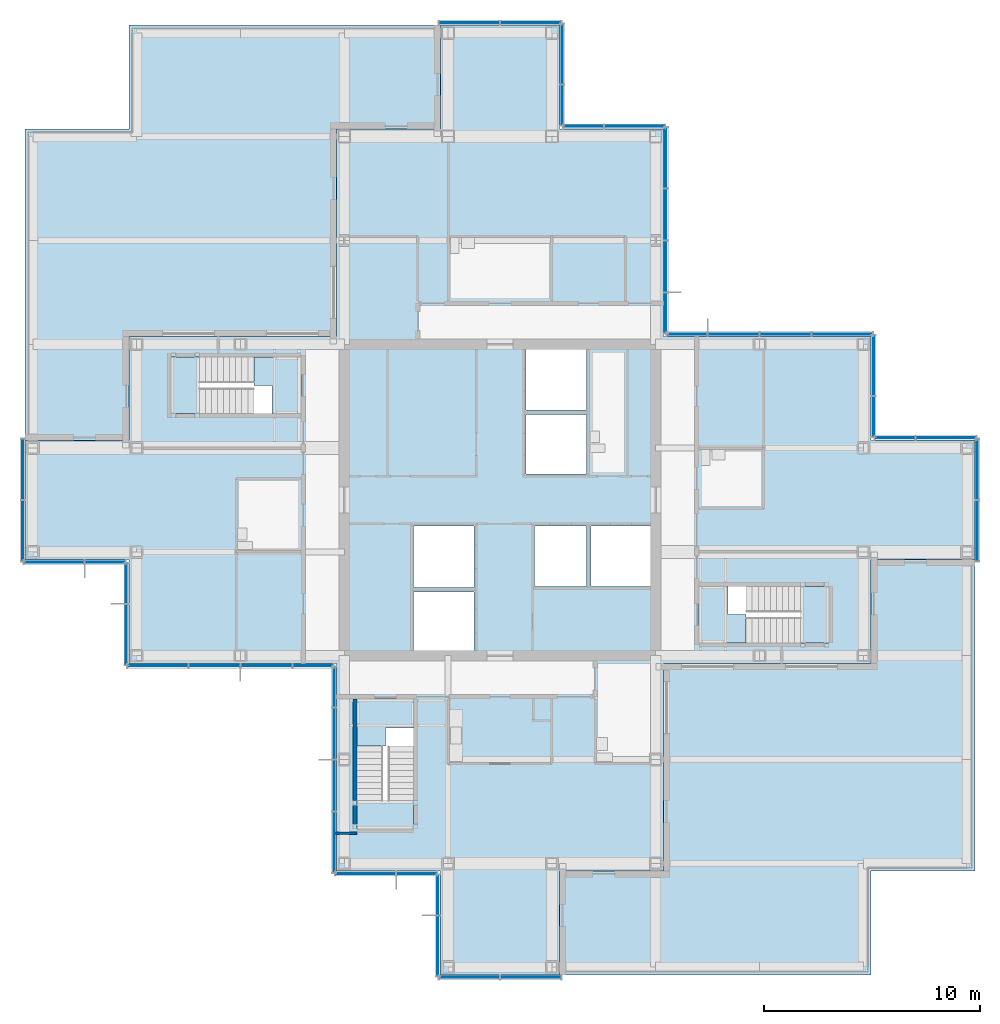
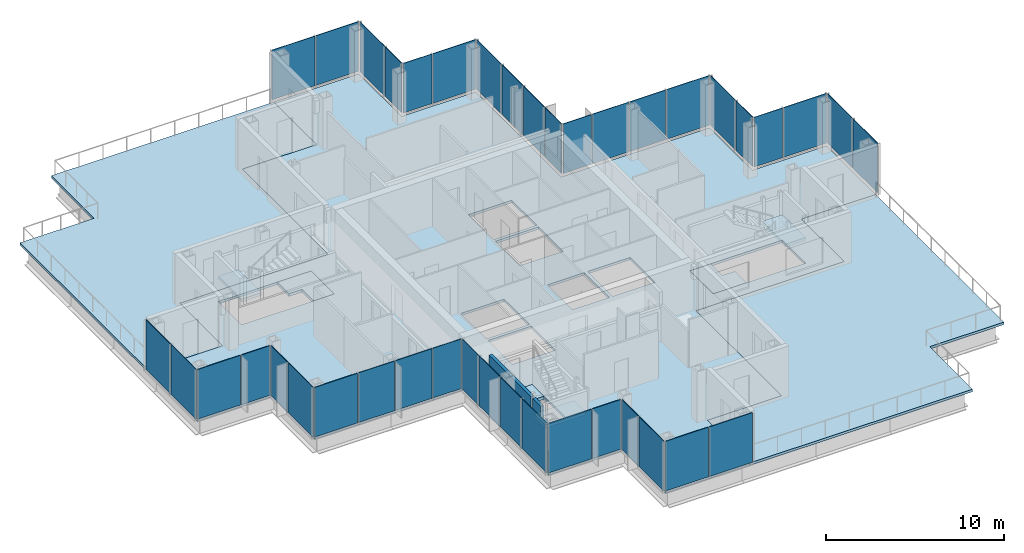
# One storey, part 10 of 17: 40 plates, 9 slabs, 3 walls, 19 elements without a shape of their own.
"""IFC4 building model written with IfcOpenShell, lengths in metres."""

from ifc_helpers import new_model, si_unit, direction, frame, frame_2d, origin, origin_2d, place, context, subcontext, project, spatial, polyline, rectangle, outline, extrude, material, layer, layer_set, type_object, element, aggregate, save


model = new_model("IFC4")

# Units and contexts
model_context = context("Model", 3, precision=1e-05, world=origin(), true_north=direction((0.0, 1.0)))
body_context = subcontext(model_context, "Body", "Model", "MODEL_VIEW")
ifc_project = project(units=[si_unit("LENGTHUNIT", "METRE"), si_unit("AREAUNIT", "SQUARE_METRE"), si_unit("VOLUMEUNIT", "CUBIC_METRE"), si_unit("PLANEANGLEUNIT", "RADIAN"), si_unit("MASSUNIT", "GRAM", prefix="KILO")], contexts=[model_context])

# Site, building, storey
site_placement = place(None, origin())
site = spatial("IfcSite", under=ifc_project, at=site_placement, CompositionType="ELEMENT")
building_placement = place(site_placement, origin())
building = spatial("IfcBuilding", under=site, at=building_placement, Name="Kvirike Care Tower", CompositionType="ELEMENT")
storey_placement = place(building_placement, frame((0.0, 0.0, 141.0)))
storey = spatial("IfcBuildingStorey", under=building, at=storey_placement, Name="L38", CompositionType="ELEMENT", Elevation=141.0)

# Slab
ifc_material_1 = material(Name="Concrete C35/45", Category="concrete")
ifc_layer_1 = layer(ifc_material_1, 0.169921875)
ifc_layer_set_1 = layer_set([ifc_layer_1], Name="FLOOR SLAB 170")
slab_type_1 = type_object("IfcSlabType", Name="FLOOR SLAB 170", PredefinedType="FLOOR", material=ifc_layer_set_1)
slab_1_placement = place(storey_placement, frame((0.0, 0.0, -0.169921875)))
element("IfcSlab", 1, at=slab_1_placement, inside=storey, type_object=slab_type_1, Name="Floor slab L38", PredefinedType="FLOOR", context=body_context, shape_type="SweptSolid", body=[
    extrude(outline(polyline([(29.14990234375, 28.449951171875), (38.75, 28.449951171875), (38.75, 33.25), (43.550048828125, 33.25), (43.550048828125, 38.75), (38.75, 38.75), (38.75, 43.550048828125), (29.14990234375, 43.550048828125), (29.14990234375, 53.14990234375), (24.35009765625, 53.14990234375), (24.35009765625, 57.949951171875), (18.85009765625, 57.949951171875), (18.85009765625, 53.14990234375), (14.050048828125, 53.14990234375), (14.050048828125, 43.550048828125), (4.449951171875, 43.550048828125), (4.449951171875, 38.75), (-0.35009765625, 38.75), (-0.35009765625, 33.25), (4.449951171875, 33.25), (4.449951171875, 28.449951171875), (14.050048828125, 28.449951171875), (14.050048828125, 18.85009765625), (18.85009765625, 18.85009765625), (18.85009765625, 14.050048828125), (24.35009765625, 14.050048828125), (24.35009765625, 18.85009765625), (29.14990234375, 18.85009765625), (29.14990234375, 28.449951171875)]), holes=[polyline([(17.60009765625, 29.050048828125), (17.60009765625, 31.75), (20.39990234375, 31.75), (20.39990234375, 29.050048828125), (17.60009765625, 29.050048828125)]), polyline([(17.60009765625, 31.949951171875), (17.60009765625, 34.800048828125), (20.39990234375, 34.800048828125), (20.39990234375, 31.949951171875), (17.60009765625, 31.949951171875)]), polyline([(22.800048828125, 37.199951171875), (22.800048828125, 39.949951171875), (25.60009765625, 39.949951171875), (25.60009765625, 37.199951171875), (22.800048828125, 37.199951171875)]), polyline([(22.800048828125, 40.14990234375), (22.800048828125, 42.949951171875), (25.60009765625, 42.949951171875), (25.60009765625, 40.14990234375), (22.800048828125, 40.14990234375)]), polyline([(23.199951171875, 32.0), (23.199951171875, 34.800048828125), (25.60009765625, 34.800048828125), (25.60009765625, 32.0), (23.199951171875, 32.0)]), polyline([(25.800048828125, 32.0), (25.800048828125, 34.800048828125), (28.550048828125, 34.800048828125), (28.550048828125, 32.0), (25.800048828125, 32.0)]), polyline([(12.39990234375, 42.60009765625), (12.39990234375, 40.0), (6.39990234375, 40.0), (6.39990234375, 42.60009765625), (12.39990234375, 42.60009765625)]), polyline([(30.800048828125, 29.39990234375), (30.800048828125, 32.0), (36.800048828125, 32.0), (36.800048828125, 29.39990234375), (30.800048828125, 29.39990234375)]), polyline([(15.0, 26.800048828125), (17.60009765625, 26.800048828125), (17.60009765625, 20.800048828125), (15.0, 20.800048828125), (15.0, 26.800048828125)])]), origin(), (0.0, 0.0, 1.0), 0.169921875),
])

# Stair, slabs
ifc_material_2 = material(Name="Concrete C35/45", Category="concrete")
stair_type = type_object("IfcStairType", Name="STAIR 20 RISERS", PredefinedType="HALF_TURN_STAIR", material=ifc_material_2)
stair_1_placement = place(storey_placement, origin())
stair_1 = element("IfcStair", 2, at=stair_1_placement, inside=storey, type_object=stair_type, Name="Stair 1 L38", PredefinedType="HALF_TURN_STAIR")
ifc_material_3 = material(Name="Concrete C35/45", Category="concrete")
ifc_layer_2 = layer(ifc_material_3, 0.199951171875)
ifc_layer_set_2 = layer_set([ifc_layer_2], Name="STAIR LANDING 200")
slab_type_2 = type_object("IfcSlabType", Name="STAIR LANDING 200", PredefinedType="LANDING", material=ifc_layer_set_2)
slab_2_placement = place(storey_placement, frame((0.0, 0.0, -0.199951171875)))
slab_2 = element("IfcSlab", 3, at=slab_2_placement, type_object=slab_type_2, Name="Stair S1 floor landing L38", PredefinedType="LANDING", context=body_context, shape_type="SweptSolid", body=[
    extrude(outline(polyline([(10.219970703125, 42.60009765625), (10.219970703125, 41.300048828125), (11.06005859375, 41.300048828125), (11.06005859375, 40.0), (12.39990234375, 40.0), (12.39990234375, 42.60009765625), (10.219970703125, 42.60009765625)])), origin(), (0.0, 0.0, 1.0), 0.199951171875),
])
slab_3_placement = place(storey_placement, frame((0.0, 0.0, 1.550048828125)))
slab_3 = element("IfcSlab", 4, at=slab_3_placement, type_object=slab_type_2, Name="Stair S1 half landing L38-L39", PredefinedType="LANDING", context=body_context, shape_type="SweptSolid", body=[
    extrude(outline(polyline([(6.39990234375, 42.60009765625), (6.39990234375, 40.0), (7.699951171875, 40.0), (7.699951171875, 42.60009765625), (6.39990234375, 42.60009765625)])), origin(), (0.0, 0.0, 1.0), 0.199951171875),
])
aggregate(stair_1, [slab_2, slab_3])

stair_2_placement = place(storey_placement, origin())
stair_2 = element("IfcStair", 5, at=stair_2_placement, inside=storey, type_object=stair_type, Name="Stair 2 L38", PredefinedType="HALF_TURN_STAIR")
slab_4_placement = place(storey_placement, frame((0.0, 0.0, -0.199951171875)))
slab_4 = element("IfcSlab", 6, at=slab_4_placement, type_object=slab_type_2, Name="Stair S2 floor landing L38", PredefinedType="LANDING", context=body_context, shape_type="SweptSolid", body=[
    extrude(outline(polyline([(32.97998046875, 29.39990234375), (32.97998046875, 30.699951171875), (32.139892578125, 30.699951171875), (32.139892578125, 32.0), (30.800048828125, 32.0), (30.800048828125, 29.39990234375), (32.97998046875, 29.39990234375)])), origin(), (0.0, 0.0, 1.0), 0.199951171875),
])
slab_5_placement = place(storey_placement, frame((0.0, 0.0, 1.550048828125)))
slab_5 = element("IfcSlab", 7, at=slab_5_placement, type_object=slab_type_2, Name="Stair S2 half landing L38-L39", PredefinedType="LANDING", context=body_context, shape_type="SweptSolid", body=[
    extrude(outline(polyline([(36.800048828125, 29.39990234375), (36.800048828125, 32.0), (35.5, 32.0), (35.5, 29.39990234375), (36.800048828125, 29.39990234375)])), origin(), (0.0, 0.0, 1.0), 0.199951171875),
])
aggregate(stair_2, [slab_4, slab_5])

stair_3_placement = place(storey_placement, origin())
stair_3 = element("IfcStair", 8, at=stair_3_placement, inside=storey, type_object=stair_type, Name="Stair 5 L38", PredefinedType="HALF_TURN_STAIR")
slab_6_placement = place(storey_placement, frame((0.0, 0.0, -0.199951171875)))
slab_6 = element("IfcSlab", 9, at=slab_6_placement, type_object=slab_type_2, Name="Stair S5 floor landing L38", PredefinedType="LANDING", context=body_context, shape_type="SweptSolid", body=[
    extrude(outline(polyline([(15.0, 24.6201171875), (16.300048828125, 24.6201171875), (16.300048828125, 25.4599609375), (17.60009765625, 25.4599609375), (17.60009765625, 26.800048828125), (15.0, 26.800048828125), (15.0, 24.6201171875)])), origin(), (0.0, 0.0, 1.0), 0.199951171875),
])
slab_7_placement = place(storey_placement, frame((0.0, 0.0, 1.550048828125)))
slab_7 = element("IfcSlab", 10, at=slab_7_placement, type_object=slab_type_2, Name="Stair S5 half landing L38-L39", PredefinedType="LANDING", context=body_context, shape_type="SweptSolid", body=[
    extrude(outline(polyline([(15.0, 20.800048828125), (17.60009765625, 20.800048828125), (17.60009765625, 22.10009765625), (15.0, 22.10009765625), (15.0, 20.800048828125)])), origin(), (0.0, 0.0, 1.0), 0.199951171875),
])
aggregate(stair_3, [slab_6, slab_7])

# Slabs
ifc_material_4 = material(Name="Concrete C35/45", Category="concrete")
ifc_layer_3 = layer(ifc_material_4, 0.169921875)
ifc_layer_set_3 = layer_set([ifc_layer_3], Name="TERRACE SLAB 170")
slab_type_3 = type_object("IfcSlabType", Name="TERRACE SLAB 170", PredefinedType="ROOF", material=ifc_layer_set_3)
slab_8_placement = place(storey_placement, frame((0.0, 0.0, -0.169921875)))
element("IfcSlab", 11, at=slab_8_placement, inside=storey, type_object=slab_type_3, Name="Terrace L38 1", PredefinedType="ROOF", context=body_context, shape_type="SweptSolid", body=[
    extrude(outline(polyline([(-0.35009765625, 53.14990234375), (-0.35009765625, 38.75), (4.449951171875, 38.75), (4.449951171875, 43.550048828125), (14.050048828125, 43.550048828125), (14.050048828125, 53.14990234375), (18.85009765625, 53.14990234375), (18.85009765625, 57.949951171875), (4.449951171875, 57.949951171875), (4.449951171875, 53.14990234375), (-0.35009765625, 53.14990234375)])), origin(), (0.0, 0.0, 1.0), 0.169921875),
])
slab_9_placement = place(storey_placement, frame((0.0, 0.0, -0.169921875)))
element("IfcSlab", 12, at=slab_9_placement, inside=storey, type_object=slab_type_3, Name="Terrace L38 2", PredefinedType="ROOF", context=body_context, shape_type="SweptSolid", body=[
    extrude(outline(polyline([(43.550048828125, 18.85009765625), (43.550048828125, 33.25), (38.75, 33.25), (38.75, 28.449951171875), (29.14990234375, 28.449951171875), (29.14990234375, 18.85009765625), (24.35009765625, 18.85009765625), (24.35009765625, 14.050048828125), (38.75, 14.050048828125), (38.75, 18.85009765625), (43.550048828125, 18.85009765625)])), origin(), (0.0, 0.0, 1.0), 0.169921875),
])

# Curtain wall, plates
ifc_material_5 = material(Name="Anodised aluminium stick system", Category="aluminium")
curtain_wall_type = type_object("IfcCurtainWallType", Name="CW-C STICK CURTAIN WALL", PredefinedType="NOTDEFINED", material=ifc_material_5)
curtain_wall_1_placement = place(storey_placement, origin())
curtain_wall_1 = element("IfcCurtainWall", 13, at=curtain_wall_1_placement, inside=storey, type_object=curtain_wall_type, Name="Curtain wall L38 face 4", PredefinedType="NOTDEFINED")
ifc_material_6 = material(Name="Tinted double glazed unit", Category="glass")
ifc_layer_4 = layer(ifc_material_6, 0.0400390625)
ifc_layer_set_4 = layer_set([ifc_layer_4], Name="TINTED VISION PANEL 40")
plate_type = type_object("IfcPlateType", Name="TINTED VISION PANEL 40", PredefinedType="CURTAIN_PANEL", material=ifc_layer_set_4)
plate_1_placement = place(storey_placement, frame((43.669921875, 34.581298828125, 0.10009765625), z_axis=(0.0, 0.0, 1.0), x_axis=(0.0, 1.0, 0.0)))
plate_1 = element("IfcPlate", 14, at=plate_1_placement, type_object=plate_type, Name="CW-C panel L38 face 4.1", PredefinedType="CURTAIN_PANEL", context=body_context, shape_type="SweptSolid", body=[
    extrude(rectangle(XDim=2.7724609375, YDim=0.0400390625, at=origin_2d()), origin(), (0.0, 0.0, 1.0), 3.39990234375),
])
plate_2_placement = place(storey_placement, frame((43.669921875, 37.418701171875, 0.10009765625), z_axis=(0.0, 0.0, 1.0), x_axis=(0.0, 1.0, 0.0)))
plate_2 = element("IfcPlate", 15, at=plate_2_placement, type_object=plate_type, Name="CW-C panel L38 face 4.2", PredefinedType="CURTAIN_PANEL", context=body_context, shape_type="SweptSolid", body=[
    extrude(rectangle(XDim=2.7724609375, YDim=0.0400390625, at=origin_2d()), origin(), (0.0, 0.0, 1.0), 3.39990234375),
])
aggregate(curtain_wall_1, [plate_1, plate_2])

curtain_wall_2_placement = place(storey_placement, origin())
curtain_wall_2 = element("IfcCurtainWall", 16, at=curtain_wall_2_placement, inside=storey, type_object=curtain_wall_type, Name="Curtain wall L38 face 5", PredefinedType="NOTDEFINED")
plate_3_placement = place(storey_placement, frame((42.21875, 38.8701171875, 0.10009765625), z_axis=(0.0, 0.0, 1.0), x_axis=(-1.0, 0.0, 0.0)))
plate_3 = element("IfcPlate", 17, at=plate_3_placement, type_object=plate_type, Name="CW-C panel L38 face 5.1", PredefinedType="CURTAIN_PANEL", context=body_context, shape_type="SweptSolid", body=[
    extrude(rectangle(XDim=2.7724609375, YDim=0.0400390625, at=origin_2d()), origin(), (0.0, 0.0, 1.0), 3.39990234375),
])
plate_4_placement = place(storey_placement, frame((39.851318359375, 38.8701171875, 0.10009765625), z_axis=(0.0, 0.0, 1.0), x_axis=(-1.0, 0.0, 0.0)))
plate_4 = element("IfcPlate", 18, at=plate_4_placement, type_object=plate_type, Name="CW-C panel L38 face 5.2", PredefinedType="CURTAIN_PANEL", context=body_context, shape_type="SweptSolid", body=[
    extrude(rectangle(XDim=1.83251953125, YDim=0.0400390625, at=origin_2d()), origin(), (0.0, 0.0, 1.0), 3.39990234375),
])
aggregate(curtain_wall_2, [plate_3, plate_4])

curtain_wall_3_placement = place(storey_placement, origin())
curtain_wall_3 = element("IfcCurtainWall", 19, at=curtain_wall_3_placement, inside=storey, type_object=curtain_wall_type, Name="Curtain wall L38 face 6", PredefinedType="NOTDEFINED")
plate_5_placement = place(storey_placement, frame((38.8701171875, 39.851318359375, 0.10009765625), z_axis=(0.0, 0.0, 1.0), x_axis=(0.0, 1.0, 0.0)))
plate_5 = element("IfcPlate", 20, at=plate_5_placement, type_object=plate_type, Name="CW-C panel L38 face 6.1", PredefinedType="CURTAIN_PANEL", context=body_context, shape_type="SweptSolid", body=[
    extrude(rectangle(XDim=1.83251953125, YDim=0.0400390625, at=origin_2d()), origin(), (0.0, 0.0, 1.0), 3.39990234375),
])
plate_6_placement = place(storey_placement, frame((38.8701171875, 42.21875, 0.10009765625), z_axis=(0.0, 0.0, 1.0), x_axis=(0.0, 1.0, 0.0)))
plate_6 = element("IfcPlate", 21, at=plate_6_placement, type_object=plate_type, Name="CW-C panel L38 face 6.2", PredefinedType="CURTAIN_PANEL", context=body_context, shape_type="SweptSolid", body=[
    extrude(rectangle(XDim=2.7724609375, YDim=0.0400390625, at=origin_2d()), origin(), (0.0, 0.0, 1.0), 3.39990234375),
])
aggregate(curtain_wall_3, [plate_5, plate_6])

curtain_wall_4_placement = place(storey_placement, origin())
curtain_wall_4 = element("IfcCurtainWall", 22, at=curtain_wall_4_placement, inside=storey, type_object=curtain_wall_type, Name="Curtain wall L38 face 7", PredefinedType="NOTDEFINED")
plate_7_placement = place(storey_placement, frame((37.418701171875, 43.669921875, 0.10009765625), z_axis=(0.0, 0.0, 1.0), x_axis=(-1.0, 0.0, 0.0)))
plate_7 = element("IfcPlate", 23, at=plate_7_placement, type_object=plate_type, Name="CW-C panel L38 face 7.1", PredefinedType="CURTAIN_PANEL", context=body_context, shape_type="SweptSolid", body=[
    extrude(rectangle(XDim=2.7724609375, YDim=0.0400390625, at=origin_2d()), origin(), (0.0, 0.0, 1.0), 3.39990234375),
])
plate_8_placement = place(storey_placement, frame((34.800048828125, 43.669921875, 0.10009765625), z_axis=(0.0, 0.0, 1.0), x_axis=(-1.0, 0.0, 0.0)))
plate_8 = element("IfcPlate", 24, at=plate_8_placement, type_object=plate_type, Name="CW-C panel L38 face 7.2", PredefinedType="CURTAIN_PANEL", context=body_context, shape_type="SweptSolid", body=[
    extrude(rectangle(XDim=2.3349609375, YDim=0.0400390625, at=origin_2d()), origin(), (0.0, 0.0, 1.0), 3.39990234375),
])
plate_9_placement = place(storey_placement, frame((32.39990234375, 43.669921875, 0.10009765625), z_axis=(0.0, 0.0, 1.0), x_axis=(-1.0, 0.0, 0.0)))
plate_9 = element("IfcPlate", 25, at=plate_9_placement, type_object=plate_type, Name="CW-C panel L38 face 7.3", PredefinedType="CURTAIN_PANEL", context=body_context, shape_type="SweptSolid", body=[
    extrude(rectangle(XDim=2.3349609375, YDim=0.0400390625, at=origin_2d()), origin(), (0.0, 0.0, 1.0), 3.39990234375),
])
plate_10_placement = place(storey_placement, frame((30.251220703125, 43.669921875, 0.10009765625), z_axis=(0.0, 0.0, 1.0), x_axis=(-1.0, 0.0, 0.0)))
plate_10 = element("IfcPlate", 26, at=plate_10_placement, type_object=plate_type, Name="CW-C panel L38 face 7.4", PredefinedType="CURTAIN_PANEL", context=body_context, shape_type="SweptSolid", body=[
    extrude(rectangle(XDim=1.83251953125, YDim=0.0400390625, at=origin_2d()), origin(), (0.0, 0.0, 1.0), 3.39990234375),
])
aggregate(curtain_wall_4, [plate_7, plate_8, plate_9, plate_10])

curtain_wall_5_placement = place(storey_placement, origin())
curtain_wall_5 = element("IfcCurtainWall", 27, at=curtain_wall_5_placement, inside=storey, type_object=curtain_wall_type, Name="Curtain wall L38 face 8", PredefinedType="NOTDEFINED")
plate_11_placement = place(storey_placement, frame((29.27001953125, 44.6513671875, 0.10009765625), z_axis=(0.0, 0.0, 1.0), x_axis=(0.0, 1.0, 0.0)))
plate_11 = element("IfcPlate", 28, at=plate_11_placement, type_object=plate_type, Name="CW-C panel L38 face 8.1", PredefinedType="CURTAIN_PANEL", context=body_context, shape_type="SweptSolid", body=[
    extrude(rectangle(XDim=1.83251953125, YDim=0.0400390625, at=origin_2d()), origin(), (0.0, 0.0, 1.0), 3.39990234375),
])
plate_12_placement = place(storey_placement, frame((29.27001953125, 46.800048828125, 0.10009765625), z_axis=(0.0, 0.0, 1.0), x_axis=(0.0, 1.0, 0.0)))
plate_12 = element("IfcPlate", 29, at=plate_12_placement, type_object=plate_type, Name="CW-C panel L38 face 8.2", PredefinedType="CURTAIN_PANEL", context=body_context, shape_type="SweptSolid", body=[
    extrude(rectangle(XDim=2.3349609375, YDim=0.0400390625, at=origin_2d()), origin(), (0.0, 0.0, 1.0), 3.39990234375),
])
plate_13_placement = place(storey_placement, frame((29.27001953125, 49.199951171875, 0.10009765625), z_axis=(0.0, 0.0, 1.0), x_axis=(0.0, 1.0, 0.0)))
plate_13 = element("IfcPlate", 30, at=plate_13_placement, type_object=plate_type, Name="CW-C panel L38 face 8.3", PredefinedType="CURTAIN_PANEL", context=body_context, shape_type="SweptSolid", body=[
    extrude(rectangle(XDim=2.3349609375, YDim=0.0400390625, at=origin_2d()), origin(), (0.0, 0.0, 1.0), 3.39990234375),
])
plate_14_placement = place(storey_placement, frame((29.27001953125, 51.81884765625, 0.10009765625), z_axis=(0.0, 0.0, 1.0), x_axis=(0.0, 1.0, 0.0)))
plate_14 = element("IfcPlate", 31, at=plate_14_placement, type_object=plate_type, Name="CW-C panel L38 face 8.4", PredefinedType="CURTAIN_PANEL", context=body_context, shape_type="SweptSolid", body=[
    extrude(rectangle(XDim=2.7724609375, YDim=0.0400390625, at=origin_2d()), origin(), (0.0, 0.0, 1.0), 3.39990234375),
])
aggregate(curtain_wall_5, [plate_11, plate_12, plate_13, plate_14])

curtain_wall_6_placement = place(storey_placement, origin())
curtain_wall_6 = element("IfcCurtainWall", 32, at=curtain_wall_6_placement, inside=storey, type_object=curtain_wall_type, Name="Curtain wall L38 face 9", PredefinedType="NOTDEFINED")
plate_15_placement = place(storey_placement, frame((27.81884765625, 53.27001953125, 0.10009765625), z_axis=(0.0, 0.0, 1.0), x_axis=(-1.0, 0.0, 0.0)))
plate_15 = element("IfcPlate", 33, at=plate_15_placement, type_object=plate_type, Name="CW-C panel L38 face 9.1", PredefinedType="CURTAIN_PANEL", context=body_context, shape_type="SweptSolid", body=[
    extrude(rectangle(XDim=2.7724609375, YDim=0.0400390625, at=origin_2d()), origin(), (0.0, 0.0, 1.0), 3.39990234375),
])
plate_16_placement = place(storey_placement, frame((25.451171875, 53.27001953125, 0.10009765625), z_axis=(0.0, 0.0, 1.0), x_axis=(-1.0, 0.0, 0.0)))
plate_16 = element("IfcPlate", 34, at=plate_16_placement, type_object=plate_type, Name="CW-C panel L38 face 9.2", PredefinedType="CURTAIN_PANEL", context=body_context, shape_type="SweptSolid", body=[
    extrude(rectangle(XDim=1.83251953125, YDim=0.0400390625, at=origin_2d()), origin(), (0.0, 0.0, 1.0), 3.39990234375),
])
aggregate(curtain_wall_6, [plate_15, plate_16])

curtain_wall_7_placement = place(storey_placement, origin())
curtain_wall_7 = element("IfcCurtainWall", 35, at=curtain_wall_7_placement, inside=storey, type_object=curtain_wall_type, Name="Curtain wall L38 face 10", PredefinedType="NOTDEFINED")
plate_17_placement = place(storey_placement, frame((24.469970703125, 54.251220703125, 0.10009765625), z_axis=(0.0, 0.0, 1.0), x_axis=(0.0, 1.0, 0.0)))
plate_17 = element("IfcPlate", 36, at=plate_17_placement, type_object=plate_type, Name="CW-C panel L38 face 10.1", PredefinedType="CURTAIN_PANEL", context=body_context, shape_type="SweptSolid", body=[
    extrude(rectangle(XDim=1.83251953125, YDim=0.0400390625, at=origin_2d()), origin(), (0.0, 0.0, 1.0), 3.39990234375),
])
plate_18_placement = place(storey_placement, frame((24.469970703125, 56.61865234375, 0.10009765625), z_axis=(0.0, 0.0, 1.0), x_axis=(0.0, 1.0, 0.0)))
plate_18 = element("IfcPlate", 37, at=plate_18_placement, type_object=plate_type, Name="CW-C panel L38 face 10.2", PredefinedType="CURTAIN_PANEL", context=body_context, shape_type="SweptSolid", body=[
    extrude(rectangle(XDim=2.7724609375, YDim=0.0400390625, at=origin_2d()), origin(), (0.0, 0.0, 1.0), 3.39990234375),
])
aggregate(curtain_wall_7, [plate_17, plate_18])

curtain_wall_8_placement = place(storey_placement, origin())
curtain_wall_8 = element("IfcCurtainWall", 38, at=curtain_wall_8_placement, inside=storey, type_object=curtain_wall_type, Name="Curtain wall L38 face 11", PredefinedType="NOTDEFINED")
plate_19_placement = place(storey_placement, frame((23.018798828125, 58.070068359375, 0.10009765625), z_axis=(0.0, 0.0, 1.0), x_axis=(-1.0, 0.0, 0.0)))
plate_19 = element("IfcPlate", 39, at=plate_19_placement, type_object=plate_type, Name="CW-C panel L38 face 11.1", PredefinedType="CURTAIN_PANEL", context=body_context, shape_type="SweptSolid", body=[
    extrude(rectangle(XDim=2.7724609375, YDim=0.0400390625, at=origin_2d()), origin(), (0.0, 0.0, 1.0), 3.39990234375),
])
plate_20_placement = place(storey_placement, frame((20.18115234375, 58.070068359375, 0.10009765625), z_axis=(0.0, 0.0, 1.0), x_axis=(-1.0, 0.0, 0.0)))
plate_20 = element("IfcPlate", 40, at=plate_20_placement, type_object=plate_type, Name="CW-C panel L38 face 11.2", PredefinedType="CURTAIN_PANEL", context=body_context, shape_type="SweptSolid", body=[
    extrude(rectangle(XDim=2.7724609375, YDim=0.0400390625, at=origin_2d()), origin(), (0.0, 0.0, 1.0), 3.39990234375),
])
aggregate(curtain_wall_8, [plate_19, plate_20])

curtain_wall_9_placement = place(storey_placement, origin())
curtain_wall_9 = element("IfcCurtainWall", 41, at=curtain_wall_9_placement, inside=storey, type_object=curtain_wall_type, Name="Curtain wall L38 face 18", PredefinedType="NOTDEFINED")
plate_21_placement = place(storey_placement, frame((-0.469970703125, 37.418701171875, 0.10009765625), z_axis=(0.0, 0.0, 1.0), x_axis=(0.0, -1.0, 0.0)))
plate_21 = element("IfcPlate", 42, at=plate_21_placement, type_object=plate_type, Name="CW-C panel L38 face 18.1", PredefinedType="CURTAIN_PANEL", context=body_context, shape_type="SweptSolid", body=[
    extrude(rectangle(XDim=2.7724609375, YDim=0.0400390625, at=origin_2d()), origin(), (0.0, 0.0, 1.0), 3.39990234375),
])
plate_22_placement = place(storey_placement, frame((-0.469970703125, 34.581298828125, 0.10009765625), z_axis=(0.0, 0.0, 1.0), x_axis=(0.0, -1.0, 0.0)))
plate_22 = element("IfcPlate", 43, at=plate_22_placement, type_object=plate_type, Name="CW-C panel L38 face 18.2", PredefinedType="CURTAIN_PANEL", context=body_context, shape_type="SweptSolid", body=[
    extrude(rectangle(XDim=2.7724609375, YDim=0.0400390625, at=origin_2d()), origin(), (0.0, 0.0, 1.0), 3.39990234375),
])
aggregate(curtain_wall_9, [plate_21, plate_22])

curtain_wall_10_placement = place(storey_placement, origin())
curtain_wall_10 = element("IfcCurtainWall", 44, at=curtain_wall_10_placement, inside=storey, type_object=curtain_wall_type, Name="Curtain wall L38 face 19", PredefinedType="NOTDEFINED")
plate_23_placement = place(storey_placement, frame((0.981201171875, 33.1298828125, 0.10009765625), z_axis=(0.0, 0.0, 1.0), x_axis=(1.0, 0.0, 0.0)))
plate_23 = element("IfcPlate", 45, at=plate_23_placement, type_object=plate_type, Name="CW-C panel L38 face 19.1", PredefinedType="CURTAIN_PANEL", context=body_context, shape_type="SweptSolid", body=[
    extrude(rectangle(XDim=2.7724609375, YDim=0.0400390625, at=origin_2d()), origin(), (0.0, 0.0, 1.0), 3.39990234375),
])
plate_24_placement = place(storey_placement, frame((3.3486328125, 33.1298828125, 0.10009765625), z_axis=(0.0, 0.0, 1.0), x_axis=(1.0, 0.0, 0.0)))
plate_24 = element("IfcPlate", 46, at=plate_24_placement, type_object=plate_type, Name="CW-C panel L38 face 19.2", PredefinedType="CURTAIN_PANEL", context=body_context, shape_type="SweptSolid", body=[
    extrude(rectangle(XDim=1.83251953125, YDim=0.0400390625, at=origin_2d()), origin(), (0.0, 0.0, 1.0), 3.39990234375),
])
aggregate(curtain_wall_10, [plate_23, plate_24])

curtain_wall_11_placement = place(storey_placement, origin())
curtain_wall_11 = element("IfcCurtainWall", 47, at=curtain_wall_11_placement, inside=storey, type_object=curtain_wall_type, Name="Curtain wall L38 face 20", PredefinedType="NOTDEFINED")
plate_25_placement = place(storey_placement, frame((4.330078125, 32.148681640625, 0.10009765625), z_axis=(0.0, 0.0, 1.0), x_axis=(0.0, -1.0, 0.0)))
plate_25 = element("IfcPlate", 48, at=plate_25_placement, type_object=plate_type, Name="CW-C panel L38 face 20.1", PredefinedType="CURTAIN_PANEL", context=body_context, shape_type="SweptSolid", body=[
    extrude(rectangle(XDim=1.83251953125, YDim=0.0400390625, at=origin_2d()), origin(), (0.0, 0.0, 1.0), 3.39990234375),
])
plate_26_placement = place(storey_placement, frame((4.330078125, 29.78125, 0.10009765625), z_axis=(0.0, 0.0, 1.0), x_axis=(0.0, -1.0, 0.0)))
plate_26 = element("IfcPlate", 49, at=plate_26_placement, type_object=plate_type, Name="CW-C panel L38 face 20.2", PredefinedType="CURTAIN_PANEL", context=body_context, shape_type="SweptSolid", body=[
    extrude(rectangle(XDim=2.7724609375, YDim=0.0400390625, at=origin_2d()), origin(), (0.0, 0.0, 1.0), 3.39990234375),
])
aggregate(curtain_wall_11, [plate_25, plate_26])

curtain_wall_12_placement = place(storey_placement, origin())
curtain_wall_12 = element("IfcCurtainWall", 50, at=curtain_wall_12_placement, inside=storey, type_object=curtain_wall_type, Name="Curtain wall L38 face 21", PredefinedType="NOTDEFINED")
plate_27_placement = place(storey_placement, frame((5.78125, 28.330078125, 0.10009765625), z_axis=(0.0, 0.0, 1.0), x_axis=(1.0, 0.0, 0.0)))
plate_27 = element("IfcPlate", 51, at=plate_27_placement, type_object=plate_type, Name="CW-C panel L38 face 21.1", PredefinedType="CURTAIN_PANEL", context=body_context, shape_type="SweptSolid", body=[
    extrude(rectangle(XDim=2.7724609375, YDim=0.0400390625, at=origin_2d()), origin(), (0.0, 0.0, 1.0), 3.39990234375),
])
plate_28_placement = place(storey_placement, frame((8.39990234375, 28.330078125, 0.10009765625), z_axis=(0.0, 0.0, 1.0), x_axis=(1.0, 0.0, 0.0)))
plate_28 = element("IfcPlate", 52, at=plate_28_placement, type_object=plate_type, Name="CW-C panel L38 face 21.2", PredefinedType="CURTAIN_PANEL", context=body_context, shape_type="SweptSolid", body=[
    extrude(rectangle(XDim=2.3349609375, YDim=0.0400390625, at=origin_2d()), origin(), (0.0, 0.0, 1.0), 3.39990234375),
])
plate_29_placement = place(storey_placement, frame((10.800048828125, 28.330078125, 0.10009765625), z_axis=(0.0, 0.0, 1.0), x_axis=(1.0, 0.0, 0.0)))
plate_29 = element("IfcPlate", 53, at=plate_29_placement, type_object=plate_type, Name="CW-C panel L38 face 21.3", PredefinedType="CURTAIN_PANEL", context=body_context, shape_type="SweptSolid", body=[
    extrude(rectangle(XDim=2.3349609375, YDim=0.0400390625, at=origin_2d()), origin(), (0.0, 0.0, 1.0), 3.39990234375),
])
plate_30_placement = place(storey_placement, frame((12.94873046875, 28.330078125, 0.10009765625), z_axis=(0.0, 0.0, 1.0), x_axis=(1.0, 0.0, 0.0)))
plate_30 = element("IfcPlate", 54, at=plate_30_placement, type_object=plate_type, Name="CW-C panel L38 face 21.4", PredefinedType="CURTAIN_PANEL", context=body_context, shape_type="SweptSolid", body=[
    extrude(rectangle(XDim=1.83251953125, YDim=0.0400390625, at=origin_2d()), origin(), (0.0, 0.0, 1.0), 3.39990234375),
])
aggregate(curtain_wall_12, [plate_27, plate_28, plate_29, plate_30])

curtain_wall_13_placement = place(storey_placement, origin())
curtain_wall_13 = element("IfcCurtainWall", 55, at=curtain_wall_13_placement, inside=storey, type_object=curtain_wall_type, Name="Curtain wall L38 face 22", PredefinedType="NOTDEFINED")
plate_31_placement = place(storey_placement, frame((13.929931640625, 27.3486328125, 0.10009765625), z_axis=(0.0, 0.0, 1.0), x_axis=(0.0, -1.0, 0.0)))
plate_31 = element("IfcPlate", 56, at=plate_31_placement, type_object=plate_type, Name="CW-C panel L38 face 22.1", PredefinedType="CURTAIN_PANEL", context=body_context, shape_type="SweptSolid", body=[
    extrude(rectangle(XDim=1.83251953125, YDim=0.0400390625, at=origin_2d()), origin(), (0.0, 0.0, 1.0), 3.39990234375),
])
plate_32_placement = place(storey_placement, frame((13.929931640625, 25.199951171875, 0.10009765625), z_axis=(0.0, 0.0, 1.0), x_axis=(0.0, -1.0, 0.0)))
plate_32 = element("IfcPlate", 57, at=plate_32_placement, type_object=plate_type, Name="CW-C panel L38 face 22.2", PredefinedType="CURTAIN_PANEL", context=body_context, shape_type="SweptSolid", body=[
    extrude(rectangle(XDim=2.3349609375, YDim=0.0400390625, at=origin_2d()), origin(), (0.0, 0.0, 1.0), 3.39990234375),
])
plate_33_placement = place(storey_placement, frame((13.929931640625, 22.800048828125, 0.10009765625), z_axis=(0.0, 0.0, 1.0), x_axis=(0.0, -1.0, 0.0)))
plate_33 = element("IfcPlate", 58, at=plate_33_placement, type_object=plate_type, Name="CW-C panel L38 face 22.3", PredefinedType="CURTAIN_PANEL", context=body_context, shape_type="SweptSolid", body=[
    extrude(rectangle(XDim=2.3349609375, YDim=0.0400390625, at=origin_2d()), origin(), (0.0, 0.0, 1.0), 3.39990234375),
])
plate_34_placement = place(storey_placement, frame((13.929931640625, 20.18115234375, 0.10009765625), z_axis=(0.0, 0.0, 1.0), x_axis=(0.0, -1.0, 0.0)))
plate_34 = element("IfcPlate", 59, at=plate_34_placement, type_object=plate_type, Name="CW-C panel L38 face 22.4", PredefinedType="CURTAIN_PANEL", context=body_context, shape_type="SweptSolid", body=[
    extrude(rectangle(XDim=2.7724609375, YDim=0.0400390625, at=origin_2d()), origin(), (0.0, 0.0, 1.0), 3.39990234375),
])
aggregate(curtain_wall_13, [plate_31, plate_32, plate_33, plate_34])

curtain_wall_14_placement = place(storey_placement, origin())
curtain_wall_14 = element("IfcCurtainWall", 60, at=curtain_wall_14_placement, inside=storey, type_object=curtain_wall_type, Name="Curtain wall L38 face 23", PredefinedType="NOTDEFINED")
plate_35_placement = place(storey_placement, frame((15.38134765625, 18.72998046875, 0.10009765625), z_axis=(0.0, 0.0, 1.0), x_axis=(1.0, 0.0, 0.0)))
plate_35 = element("IfcPlate", 61, at=plate_35_placement, type_object=plate_type, Name="CW-C panel L38 face 23.1", PredefinedType="CURTAIN_PANEL", context=body_context, shape_type="SweptSolid", body=[
    extrude(rectangle(XDim=2.7724609375, YDim=0.0400390625, at=origin_2d()), origin(), (0.0, 0.0, 1.0), 3.39990234375),
])
plate_36_placement = place(storey_placement, frame((17.748779296875, 18.72998046875, 0.10009765625), z_axis=(0.0, 0.0, 1.0), x_axis=(1.0, 0.0, 0.0)))
plate_36 = element("IfcPlate", 62, at=plate_36_placement, type_object=plate_type, Name="CW-C panel L38 face 23.2", PredefinedType="CURTAIN_PANEL", context=body_context, shape_type="SweptSolid", body=[
    extrude(rectangle(XDim=1.83251953125, YDim=0.0400390625, at=origin_2d()), origin(), (0.0, 0.0, 1.0), 3.39990234375),
])
aggregate(curtain_wall_14, [plate_35, plate_36])

curtain_wall_15_placement = place(storey_placement, origin())
curtain_wall_15 = element("IfcCurtainWall", 63, at=curtain_wall_15_placement, inside=storey, type_object=curtain_wall_type, Name="Curtain wall L38 face 24", PredefinedType="NOTDEFINED")
plate_37_placement = place(storey_placement, frame((18.72998046875, 17.748779296875, 0.10009765625), z_axis=(0.0, 0.0, 1.0), x_axis=(0.0, -1.0, 0.0)))
plate_37 = element("IfcPlate", 64, at=plate_37_placement, type_object=plate_type, Name="CW-C panel L38 face 24.1", PredefinedType="CURTAIN_PANEL", context=body_context, shape_type="SweptSolid", body=[
    extrude(rectangle(XDim=1.83251953125, YDim=0.0400390625, at=origin_2d()), origin(), (0.0, 0.0, 1.0), 3.39990234375),
])
plate_38_placement = place(storey_placement, frame((18.72998046875, 15.38134765625, 0.10009765625), z_axis=(0.0, 0.0, 1.0), x_axis=(0.0, -1.0, 0.0)))
plate_38 = element("IfcPlate", 65, at=plate_38_placement, type_object=plate_type, Name="CW-C panel L38 face 24.2", PredefinedType="CURTAIN_PANEL", context=body_context, shape_type="SweptSolid", body=[
    extrude(rectangle(XDim=2.7724609375, YDim=0.0400390625, at=origin_2d()), origin(), (0.0, 0.0, 1.0), 3.39990234375),
])
aggregate(curtain_wall_15, [plate_37, plate_38])

curtain_wall_16_placement = place(storey_placement, origin())
curtain_wall_16 = element("IfcCurtainWall", 66, at=curtain_wall_16_placement, inside=storey, type_object=curtain_wall_type, Name="Curtain wall L38 face 25", PredefinedType="NOTDEFINED")
plate_39_placement = place(storey_placement, frame((20.18115234375, 13.929931640625, 0.10009765625), z_axis=(0.0, 0.0, 1.0), x_axis=(1.0, 0.0, 0.0)))
plate_39 = element("IfcPlate", 67, at=plate_39_placement, type_object=plate_type, Name="CW-C panel L38 face 25.1", PredefinedType="CURTAIN_PANEL", context=body_context, shape_type="SweptSolid", body=[
    extrude(rectangle(XDim=2.7724609375, YDim=0.0400390625, at=origin_2d()), origin(), (0.0, 0.0, 1.0), 3.39990234375),
])
plate_40_placement = place(storey_placement, frame((23.018798828125, 13.929931640625, 0.10009765625), z_axis=(0.0, 0.0, 1.0), x_axis=(1.0, 0.0, 0.0)))
plate_40 = element("IfcPlate", 68, at=plate_40_placement, type_object=plate_type, Name="CW-C panel L38 face 25.2", PredefinedType="CURTAIN_PANEL", context=body_context, shape_type="SweptSolid", body=[
    extrude(rectangle(XDim=2.7724609375, YDim=0.0400390625, at=origin_2d()), origin(), (0.0, 0.0, 1.0), 3.39990234375),
])
aggregate(curtain_wall_16, [plate_39, plate_40])

# Walls
ifc_material_7 = material(Name="Plasterboard partition", Category="gypsum")
ifc_layer_5 = layer(ifc_material_7, 0.1201171875)
ifc_layer_set_5 = layer_set([ifc_layer_5], Name="PARTITION 120")
wall_type_1 = type_object("IfcWallType", Name="PARTITION 120", PredefinedType="PARTITIONING", material=ifc_layer_set_5)
wall_1_placement = place(storey_placement, frame((13.949951171875, 20.60009765625, 0.0), z_axis=(0.0, 0.0, 1.0), x_axis=(1.0, 0.0, 0.0)))
element("IfcWall", 69, at=wall_1_placement, inside=storey, type_object=wall_type_1, Name="Partition 120 L38", PredefinedType="PARTITIONING", context=body_context, shape_type="SweptSolid", body=[
    extrude(rectangle(XDim=1.050048828125, YDim=0.1201171875, at=frame_2d((0.52490234375, 0.0))), origin(), (0.0, 0.0, 1.0), 2.320068359375),
])
ifc_material_8 = material(Name="Concrete C40/50", Category="concrete")
ifc_layer_6 = layer(ifc_material_8, 0.199951171875)
ifc_layer_set_6 = layer_set([ifc_layer_6], Name="STAIR WALL 200")
wall_type_2 = type_object("IfcWallType", Name="STAIR WALL 200", PredefinedType="SOLIDWALL", material=ifc_layer_set_6)
wall_2_placement = place(storey_placement, frame((14.89990234375, 21.0, 0.0), z_axis=(0.0, 0.0, 1.0), x_axis=(0.0, 1.0, 0.0)))
element("IfcWall", 70, at=wall_2_placement, inside=storey, type_object=wall_type_2, Name="Stair Wall 200 L38", PredefinedType="SOLIDWALL", context=body_context, shape_type="SweptSolid", body=[
    extrude(rectangle(XDim=0.89990234375, YDim=0.199951171875, at=frame_2d((0.449951171875, 0.0))), origin(), (0.0, 0.0, 1.0), 2.989990234375),
])
wall_3_placement = place(storey_placement, frame((14.89990234375, 22.10009765625, 0.0), z_axis=(0.0, 0.0, 1.0), x_axis=(0.0, 1.0, 0.0)))
element("IfcWall", 71, at=wall_3_placement, inside=storey, type_object=wall_type_2, Name="Stair Wall 200 L38", PredefinedType="SOLIDWALL", context=body_context, shape_type="SweptSolid", body=[
    extrude(rectangle(XDim=4.699951171875, YDim=0.199951171875, at=frame_2d((2.35009765625, 0.0))), origin(), (0.0, 0.0, 1.0), 2.989990234375),
])

save(model, "model.ifc")
